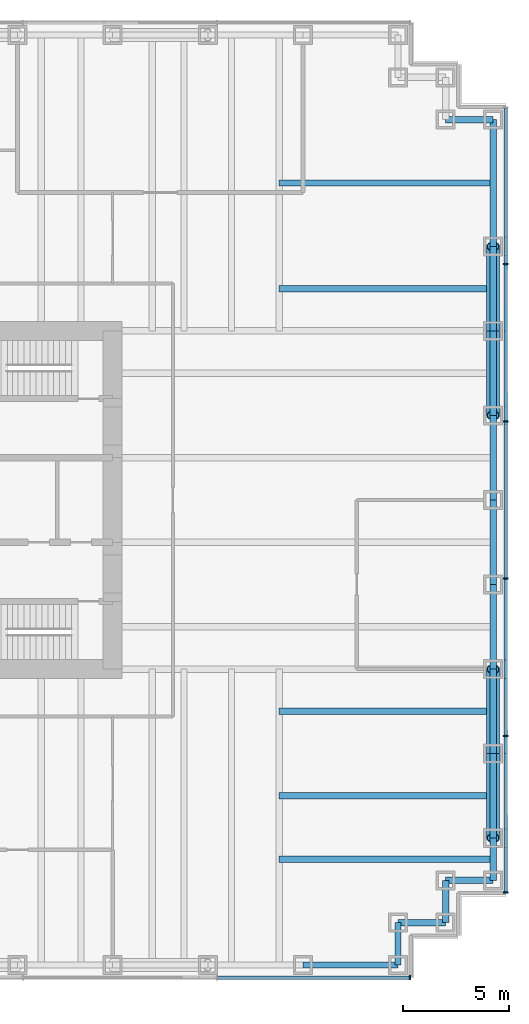
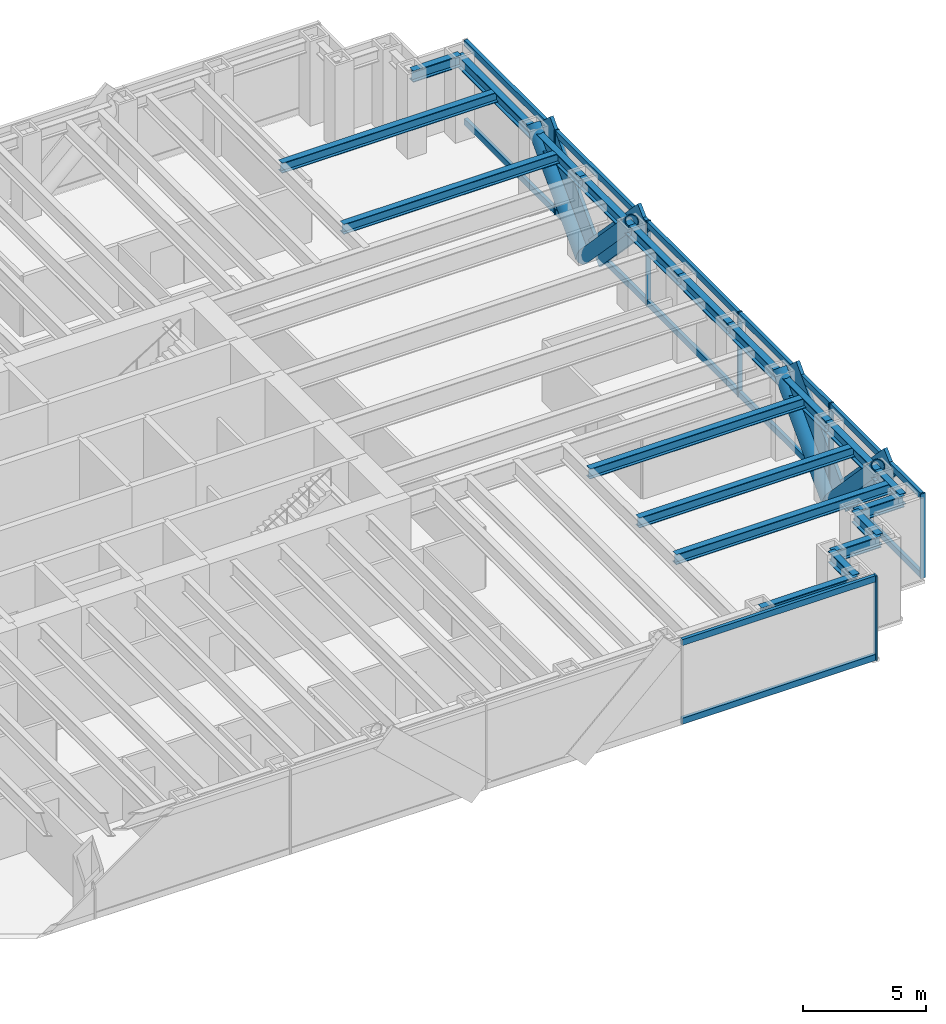
# One storey, part 8 of 15: 26 members, 20 beams, 2 elements without a shape of their own.
"""IFC4 building model written with IfcOpenShell, lengths in metres."""

from ifc_helpers import new_model, si_unit, direction, frame, origin, origin_2d, place, context, subcontext, project, spatial, rectangle, hollow_circle, i_section, extrude, material, material_profile, profile_set, type_object, element, aggregate, save


model = new_model("IFC4")

# Units and contexts
model_context = context("Model", 3, precision=1e-05, world=origin(), true_north=direction((0.0, 1.0)))
body_context = subcontext(model_context, "Body", "Model", "MODEL_VIEW")
ifc_project = project(units=[si_unit("LENGTHUNIT", "METRE"), si_unit("AREAUNIT", "SQUARE_METRE"), si_unit("VOLUMEUNIT", "CUBIC_METRE"), si_unit("PLANEANGLEUNIT", "RADIAN"), si_unit("MASSUNIT", "GRAM", prefix="KILO")], contexts=[model_context])

# Site, building, storey
site_placement = place(None, origin())
site = spatial("IfcSite", under=ifc_project, at=site_placement, CompositionType="ELEMENT")
building_placement = place(site_placement, origin())
building = spatial("IfcBuilding", under=site, at=building_placement, Name="Rheinbord Bourse Tower", CompositionType="ELEMENT")
storey_placement = place(building_placement, frame((0.0, 0.0, 113.10009765625)))
storey = spatial("IfcBuildingStorey", under=building, at=storey_placement, Name="L24", CompositionType="ELEMENT", Elevation=113.10009765625)

# Curtain wall, members
ifc_material_1 = material(Name="Dark glass and black aluminium", Category="aluminium")
curtain_wall_type = type_object("IfcCurtainWallType", Name="CW2 DARK GLASS CURTAIN WALL", PredefinedType="USERDEFINED", material=ifc_material_1)
curtain_wall_1_placement = place(storey_placement, origin())
curtain_wall_1 = element("IfcCurtainWall", 1, at=curtain_wall_1_placement, inside=storey, type_object=curtain_wall_type, Name="Curtain wall CW2 E L24", ObjectType="UNITISED CURTAIN WALL", PredefinedType="USERDEFINED")
ifc_material_2 = material(Name="Black anodised aluminium", Category="aluminium")
ifc_material_profile_1 = material_profile(ifc_material_2, rectangle(XDim=0.159912109375, YDim=1.2099609375, at=origin_2d()), Name="CW2 DIAGONAL MULLION 1210x160")
ifc_profile_set_1 = profile_set([ifc_material_profile_1], Name="Black anodised aluminium")
member_type_1 = type_object("IfcMemberType", Name="CW2 BLACK DIAGONAL MULLION", PredefinedType="USERDEFINED", material=ifc_profile_set_1)
member_1_placement = place(storey_placement, frame((72.60009765625, 32.0, 0.0), z_axis=(0.0, 0.689659376744, 0.724133926887), x_axis=(-1.0, 0.0, 0.0)))
member_1 = element("IfcMember", 2, at=member_1_placement, type_object=member_type_1, Name="CW2 diagonal mullion a", ObjectType="DIAGONAL MULLION", PredefinedType="USERDEFINED", context=body_context, shape_type="SweptSolid", body=[
    extrude(rectangle(XDim=0.159912109375, YDim=1.2099609375, at=origin_2d()), origin(), (0.0, 0.0, 1.0), 5.800048828125),
])
member_2_placement = place(storey_placement, frame((72.60009765625, 12.0, 0.0), z_axis=(0.0, -0.689659376744, 0.724133926887), x_axis=(1.0, 0.0, 0.0)))
member_2 = element("IfcMember", 3, at=member_2_placement, type_object=member_type_1, Name="CW2 diagonal mullion b", ObjectType="DIAGONAL MULLION", PredefinedType="USERDEFINED", context=body_context, shape_type="SweptSolid", body=[
    extrude(rectangle(XDim=0.159912109375, YDim=1.2099609375, at=origin_2d()), origin(), (0.0, 0.0, 1.0), 5.800048828125),
])
member_3_placement = place(storey_placement, frame((72.60009765625, 32.0, 0.0), z_axis=(0.0, -0.689659376744, 0.724133926887), x_axis=(1.0, 0.0, 0.0)))
member_3 = element("IfcMember", 4, at=member_3_placement, type_object=member_type_1, Name="CW2 diagonal mullion c", ObjectType="DIAGONAL MULLION", PredefinedType="USERDEFINED", context=body_context, shape_type="SweptSolid", body=[
    extrude(rectangle(XDim=0.159912109375, YDim=1.2099609375, at=origin_2d()), origin(), (0.0, 0.0, 1.0), 5.800048828125),
])
member_4_placement = place(storey_placement, frame((72.60009765625, 12.0, 0.0), z_axis=(0.0, 0.689659376744, 0.724133926887), x_axis=(-1.0, 0.0, 0.0)))
member_4 = element("IfcMember", 5, at=member_4_placement, type_object=member_type_1, Name="CW2 diagonal mullion d", ObjectType="DIAGONAL MULLION", PredefinedType="USERDEFINED", context=body_context, shape_type="SweptSolid", body=[
    extrude(rectangle(XDim=0.159912109375, YDim=1.2099609375, at=origin_2d()), origin(), (0.0, 0.0, 1.0), 5.800048828125),
])

# Curtain wall, member
curtain_wall_2_placement = place(storey_placement, origin())
curtain_wall_2 = element("IfcCurtainWall", 6, at=curtain_wall_2_placement, inside=storey, type_object=curtain_wall_type, Name="Curtain wall CW2 S L24", ObjectType="UNITISED CURTAIN WALL", PredefinedType="USERDEFINED")
ifc_material_3 = material(Name="Black anodised aluminium", Category="aluminium")
ifc_material_profile_2 = material_profile(ifc_material_3, rectangle(XDim=0.219970703125, YDim=0.070068359375, at=origin_2d()), Name="CW2 MULLION 70x220")
ifc_profile_set_2 = profile_set([ifc_material_profile_2], Name="Black anodised aluminium")
member_type_2 = type_object("IfcMemberType", Name="CW2 BLACK MULLION", PredefinedType="MULLION", material=ifc_profile_set_2)
member_5_placement = place(storey_placement, frame((68.06494140625, 1.39990234375, 0.0), z_axis=(0.0, 0.0, 1.0), x_axis=(0.0, 1.0, 0.0)))
member_5 = element("IfcMember", 7, at=member_5_placement, type_object=member_type_2, Name="CW2 mullion 8", PredefinedType="MULLION", context=body_context, shape_type="SweptSolid", body=[
    extrude(rectangle(XDim=0.219970703125, YDim=0.070068359375, at=origin_2d()), origin(), (0.0, 0.0, 1.0), 4.199951171875),
])

# Member
member_6_placement = place(storey_placement, frame((72.60009765625, 5.43505859375, 0.0), z_axis=(0.0, 0.0, 1.0), x_axis=(-1.0, 0.0, 0.0)))
member_6 = element("IfcMember", 8, at=member_6_placement, type_object=member_type_2, Name="CW2 mullion 1", PredefinedType="MULLION", context=body_context, shape_type="SweptSolid", body=[
    extrude(rectangle(XDim=0.219970703125, YDim=0.070068359375, at=origin_2d()), origin(), (0.0, 0.0, 1.0), 4.199951171875),
])

member_7_placement = place(storey_placement, frame((72.60009765625, 12.840087890625, 0.0), z_axis=(0.0, 0.0, 1.0), x_axis=(-1.0, 0.0, 0.0)))
member_7 = element("IfcMember", 9, at=member_7_placement, type_object=member_type_2, Name="CW2 mullion 2", PredefinedType="MULLION", context=body_context, shape_type="SweptSolid", body=[
    extrude(rectangle(XDim=0.219970703125, YDim=0.070068359375, at=origin_2d()), origin(), (0.0, 0.0, 1.0), 4.199951171875),
])

member_8_placement = place(storey_placement, frame((72.60009765625, 20.280029296875, 0.0), z_axis=(0.0, 0.0, 1.0), x_axis=(-1.0, 0.0, 0.0)))
member_8 = element("IfcMember", 10, at=member_8_placement, type_object=member_type_2, Name="CW2 mullion 3", PredefinedType="MULLION", context=body_context, shape_type="SweptSolid", body=[
    extrude(rectangle(XDim=0.219970703125, YDim=0.070068359375, at=origin_2d()), origin(), (0.0, 0.0, 1.0), 4.199951171875),
])

member_9_placement = place(storey_placement, frame((72.60009765625, 27.719970703125, 0.0), z_axis=(0.0, 0.0, 1.0), x_axis=(-1.0, 0.0, 0.0)))
member_9 = element("IfcMember", 11, at=member_9_placement, type_object=member_type_2, Name="CW2 mullion 4", PredefinedType="MULLION", context=body_context, shape_type="SweptSolid", body=[
    extrude(rectangle(XDim=0.219970703125, YDim=0.070068359375, at=origin_2d()), origin(), (0.0, 0.0, 1.0), 4.199951171875),
])

member_10_placement = place(storey_placement, frame((72.60009765625, 35.159912109375, 0.0), z_axis=(0.0, 0.0, 1.0), x_axis=(-1.0, 0.0, 0.0)))
member_10 = element("IfcMember", 12, at=member_10_placement, type_object=member_type_2, Name="CW2 mullion 5", PredefinedType="MULLION", context=body_context, shape_type="SweptSolid", body=[
    extrude(rectangle(XDim=0.219970703125, YDim=0.070068359375, at=origin_2d()), origin(), (0.0, 0.0, 1.0), 4.199951171875),
])

ifc_material_4 = material(Name="Black anodised aluminium", Category="aluminium")
ifc_material_profile_3 = material_profile(ifc_material_4, rectangle(XDim=0.159912109375, YDim=0.300048828125, at=origin_2d()), Name="CW2 TRANSOM 300x160")
ifc_profile_set_3 = profile_set([ifc_material_profile_3], Name="Black anodised aluminium")
member_type_3 = type_object("IfcMemberType", Name="CW2 BLACK TRANSOM", PredefinedType="USERDEFINED", material=ifc_profile_set_3)
member_11_placement = place(storey_placement, frame((58.963623046875, 1.39990234375, 0.14990234375), z_axis=(1.0, 0.0, 0.0), x_axis=(0.0, 1.0, 0.0)))
member_11 = element("IfcMember", 13, at=member_11_placement, type_object=member_type_3, Name="CW2 transom 7.1", ObjectType="TRANSOM", PredefinedType="USERDEFINED", context=body_context, shape_type="SweptSolid", body=[
    extrude(rectangle(XDim=0.159912109375, YDim=0.300048828125, at=origin_2d()), origin(), (0.0, 0.0, 1.0), 9.06640625),
])

member_12_placement = place(storey_placement, frame((58.963623046875, 1.39990234375, 4.0498046875), z_axis=(1.0, 0.0, 0.0), x_axis=(0.0, 1.0, 0.0)))
member_12 = element("IfcMember", 14, at=member_12_placement, type_object=member_type_3, Name="CW2 transom 7.2", ObjectType="TRANSOM", PredefinedType="USERDEFINED", context=body_context, shape_type="SweptSolid", body=[
    extrude(rectangle(XDim=0.159912109375, YDim=0.300048828125, at=origin_2d()), origin(), (0.0, 0.0, 1.0), 9.06640625),
])

aggregate(curtain_wall_2, [member_5, member_11, member_12])

member_13_placement = place(storey_placement, frame((72.60009765625, 5.469970703125, 0.14990234375), z_axis=(0.0, 1.0, 0.0), x_axis=(-1.0, 0.0, 0.0)))
member_13 = element("IfcMember", 15, at=member_13_placement, type_object=member_type_3, Name="CW2 transom 1.1", ObjectType="TRANSOM", PredefinedType="USERDEFINED", context=body_context, shape_type="SweptSolid", body=[
    extrude(rectangle(XDim=0.159912109375, YDim=0.300048828125, at=origin_2d()), origin(), (0.0, 0.0, 1.0), 7.3349609375),
])

member_14_placement = place(storey_placement, frame((72.60009765625, 5.469970703125, 4.0498046875), z_axis=(0.0, 1.0, 0.0), x_axis=(-1.0, 0.0, 0.0)))
member_14 = element("IfcMember", 16, at=member_14_placement, type_object=member_type_3, Name="CW2 transom 1.2", ObjectType="TRANSOM", PredefinedType="USERDEFINED", context=body_context, shape_type="SweptSolid", body=[
    extrude(rectangle(XDim=0.159912109375, YDim=0.300048828125, at=origin_2d()), origin(), (0.0, 0.0, 1.0), 7.3349609375),
])

member_15_placement = place(storey_placement, frame((72.60009765625, 12.875, 0.14990234375), z_axis=(0.0, 1.0, 0.0), x_axis=(-1.0, 0.0, 0.0)))
member_15 = element("IfcMember", 17, at=member_15_placement, type_object=member_type_3, Name="CW2 transom 2.1", ObjectType="TRANSOM", PredefinedType="USERDEFINED", context=body_context, shape_type="SweptSolid", body=[
    extrude(rectangle(XDim=0.159912109375, YDim=0.300048828125, at=origin_2d()), origin(), (0.0, 0.0, 1.0), 7.3701171875),
])

member_16_placement = place(storey_placement, frame((72.60009765625, 12.875, 4.0498046875), z_axis=(0.0, 1.0, 0.0), x_axis=(-1.0, 0.0, 0.0)))
member_16 = element("IfcMember", 18, at=member_16_placement, type_object=member_type_3, Name="CW2 transom 2.2", ObjectType="TRANSOM", PredefinedType="USERDEFINED", context=body_context, shape_type="SweptSolid", body=[
    extrude(rectangle(XDim=0.159912109375, YDim=0.300048828125, at=origin_2d()), origin(), (0.0, 0.0, 1.0), 7.3701171875),
])

member_17_placement = place(storey_placement, frame((72.60009765625, 20.31494140625, 0.14990234375), z_axis=(0.0, 1.0, 0.0), x_axis=(-1.0, 0.0, 0.0)))
member_17 = element("IfcMember", 19, at=member_17_placement, type_object=member_type_3, Name="CW2 transom 3.1", ObjectType="TRANSOM", PredefinedType="USERDEFINED", context=body_context, shape_type="SweptSolid", body=[
    extrude(rectangle(XDim=0.159912109375, YDim=0.300048828125, at=origin_2d()), origin(), (0.0, 0.0, 1.0), 7.3701171875),
])

member_18_placement = place(storey_placement, frame((72.60009765625, 20.31494140625, 4.0498046875), z_axis=(0.0, 1.0, 0.0), x_axis=(-1.0, 0.0, 0.0)))
member_18 = element("IfcMember", 20, at=member_18_placement, type_object=member_type_3, Name="CW2 transom 3.2", ObjectType="TRANSOM", PredefinedType="USERDEFINED", context=body_context, shape_type="SweptSolid", body=[
    extrude(rectangle(XDim=0.159912109375, YDim=0.300048828125, at=origin_2d()), origin(), (0.0, 0.0, 1.0), 7.3701171875),
])

member_19_placement = place(storey_placement, frame((72.60009765625, 27.7548828125, 0.14990234375), z_axis=(0.0, 1.0, 0.0), x_axis=(-1.0, 0.0, 0.0)))
member_19 = element("IfcMember", 21, at=member_19_placement, type_object=member_type_3, Name="CW2 transom 4.1", ObjectType="TRANSOM", PredefinedType="USERDEFINED", context=body_context, shape_type="SweptSolid", body=[
    extrude(rectangle(XDim=0.159912109375, YDim=0.300048828125, at=origin_2d()), origin(), (0.0, 0.0, 1.0), 7.3701171875),
])

member_20_placement = place(storey_placement, frame((72.60009765625, 27.7548828125, 4.0498046875), z_axis=(0.0, 1.0, 0.0), x_axis=(-1.0, 0.0, 0.0)))
member_20 = element("IfcMember", 22, at=member_20_placement, type_object=member_type_3, Name="CW2 transom 4.2", ObjectType="TRANSOM", PredefinedType="USERDEFINED", context=body_context, shape_type="SweptSolid", body=[
    extrude(rectangle(XDim=0.159912109375, YDim=0.300048828125, at=origin_2d()), origin(), (0.0, 0.0, 1.0), 7.3701171875),
])

member_21_placement = place(storey_placement, frame((72.60009765625, 35.195068359375, 0.14990234375), z_axis=(0.0, 1.0, 0.0), x_axis=(-1.0, 0.0, 0.0)))
member_21 = element("IfcMember", 23, at=member_21_placement, type_object=member_type_3, Name="CW2 transom 5.1", ObjectType="TRANSOM", PredefinedType="USERDEFINED", context=body_context, shape_type="SweptSolid", body=[
    extrude(rectangle(XDim=0.159912109375, YDim=0.300048828125, at=origin_2d()), origin(), (0.0, 0.0, 1.0), 7.3349609375),
])

member_22_placement = place(storey_placement, frame((72.60009765625, 35.195068359375, 4.0498046875), z_axis=(0.0, 1.0, 0.0), x_axis=(-1.0, 0.0, 0.0)))
member_22 = element("IfcMember", 24, at=member_22_placement, type_object=member_type_3, Name="CW2 transom 5.2", ObjectType="TRANSOM", PredefinedType="USERDEFINED", context=body_context, shape_type="SweptSolid", body=[
    extrude(rectangle(XDim=0.159912109375, YDim=0.300048828125, at=origin_2d()), origin(), (0.0, 0.0, 1.0), 7.3349609375),
])

aggregate(curtain_wall_1, [member_6, member_7, member_8, member_9, member_10, member_13, member_14, member_15, member_16, member_17, member_18, member_19, member_20, member_21, member_22, member_1, member_2, member_3, member_4])

# Members
ifc_material_5 = material(Name="Steel S460", Category="steel")
ifc_material_profile_4 = material_profile(ifc_material_5, hollow_circle(Radius=0.304931640625, WallThickness=0.0400390625, at=origin_2d()), Name="CHS 610x40")
ifc_profile_set_4 = profile_set([ifc_material_profile_4], Name="Steel S460")
member_type_4 = type_object("IfcMemberType", Name="MEGABRACE CHS 610x40", PredefinedType="BRACE", material=ifc_profile_set_4)
for number, where, z_axis, x_axis, name in (
    (25, (72.0, 32.0, 0.0), (0.0, 0.689659376744, 0.724133926887), (-1.0, 0.0, 0.0), "Megabrace E face line a L24"),
    (26, (72.0, 12.0, 0.0), (0.0, -0.689659376744, 0.724133926887), (1.0, 0.0, 0.0), "Megabrace E face line b L24"),
    (27, (72.0, 32.0, 0.0), (0.0, -0.689659376744, 0.724133926887), (1.0, 0.0, 0.0), "Megabrace E face line c L24"),
    (28, (72.0, 12.0, 0.0), (0.0, 0.689659376744, 0.724133926887), (-1.0, 0.0, 0.0), "Megabrace E face line d L24"),
):
    element("IfcMember", number, at=place(storey_placement, frame(where, z_axis=z_axis, x_axis=x_axis)), inside=storey, type_object=member_type_4, Name=name, PredefinedType="BRACE", context=body_context, shape_type="SweptSolid", body=[
        extrude(hollow_circle(Radius=0.304931640625, WallThickness=0.0400390625, at=origin_2d()), origin(), (0.0, 0.0, 1.0), 5.800048828125),
    ])

# Beams
ifc_material_6 = material(Name="Steel S460", Category="steel")
ifc_material_profile_5 = material_profile(ifc_material_6, i_section(OverallWidth=0.305908203125, OverallDepth=0.572021484375, WebThickness=0.02099609375, FlangeThickness=0.0400390625, at=origin_2d()), Name="HEM 550")
ifc_profile_set_5 = profile_set([ifc_material_profile_5], Name="Steel S460")
beam_type_1 = type_object("IfcBeamType", Name="SPANDREL HEM 550", PredefinedType="SPANDREL", material=ifc_profile_set_5)
beam_1_placement = place(storey_placement, frame((63.0, 2.0, 3.75390625), z_axis=(1.0, 0.0, 0.0), x_axis=(0.0, 1.0, 0.0)))
element("IfcBeam", 29, at=beam_1_placement, inside=storey, type_object=beam_type_1, Name="Spandrel S-63-SE-E under L25", PredefinedType="SPANDREL", context=body_context, shape_type="SweptSolid", body=[
    extrude(i_section(OverallWidth=0.305908203125, OverallDepth=0.572021484375, WebThickness=0.02099609375, FlangeThickness=0.0400390625, at=origin_2d()), origin(), (0.0, 0.0, 1.0), 4.5),
])
beam_2_placement = place(storey_placement, frame((67.5, 2.0, 3.75390625), z_axis=(0.0, 1.0, 0.0), x_axis=(-1.0, 0.0, 0.0)))
element("IfcBeam", 30, at=beam_2_placement, inside=storey, type_object=beam_type_1, Name="Spandrel SE-E-SE-D under L25", PredefinedType="SPANDREL", context=body_context, shape_type="SweptSolid", body=[
    extrude(i_section(OverallWidth=0.305908203125, OverallDepth=0.572021484375, WebThickness=0.02099609375, FlangeThickness=0.0400390625, at=origin_2d()), origin(), (0.0, 0.0, 1.0), 2.0),
])
beam_3_placement = place(storey_placement, frame((67.5, 4.0, 3.75390625), z_axis=(1.0, 0.0, 0.0), x_axis=(0.0, 1.0, 0.0)))
element("IfcBeam", 31, at=beam_3_placement, inside=storey, type_object=beam_type_1, Name="Spandrel SE-D-SE-C under L25", PredefinedType="SPANDREL", context=body_context, shape_type="SweptSolid", body=[
    extrude(i_section(OverallWidth=0.305908203125, OverallDepth=0.572021484375, WebThickness=0.02099609375, FlangeThickness=0.0400390625, at=origin_2d()), origin(), (0.0, 0.0, 1.0), 2.25),
])
beam_4_placement = place(storey_placement, frame((69.75, 4.0, 3.75390625), z_axis=(0.0, 1.0, 0.0), x_axis=(-1.0, 0.0, 0.0)))
element("IfcBeam", 32, at=beam_4_placement, inside=storey, type_object=beam_type_1, Name="Spandrel SE-C-SE-B under L25", PredefinedType="SPANDREL", context=body_context, shape_type="SweptSolid", body=[
    extrude(i_section(OverallWidth=0.305908203125, OverallDepth=0.572021484375, WebThickness=0.02099609375, FlangeThickness=0.0400390625, at=origin_2d()), origin(), (0.0, 0.0, 1.0), 2.0),
])
beam_5_placement = place(storey_placement, frame((69.75, 6.0, 3.75390625), z_axis=(1.0, 0.0, 0.0), x_axis=(0.0, 1.0, 0.0)))
element("IfcBeam", 33, at=beam_5_placement, inside=storey, type_object=beam_type_1, Name="Spandrel SE-B-SE-A under L25", PredefinedType="SPANDREL", context=body_context, shape_type="SweptSolid", body=[
    extrude(i_section(OverallWidth=0.305908203125, OverallDepth=0.572021484375, WebThickness=0.02099609375, FlangeThickness=0.0400390625, at=origin_2d()), origin(), (0.0, 0.0, 1.0), 2.25),
])
beam_6_placement = place(storey_placement, frame((72.0, 6.0, 3.75390625), z_axis=(0.0, 1.0, 0.0), x_axis=(-1.0, 0.0, 0.0)))
element("IfcBeam", 34, at=beam_6_placement, inside=storey, type_object=beam_type_1, Name="Spandrel SE-A-E-8 under L25", PredefinedType="SPANDREL", context=body_context, shape_type="SweptSolid", body=[
    extrude(i_section(OverallWidth=0.305908203125, OverallDepth=0.572021484375, WebThickness=0.02099609375, FlangeThickness=0.0400390625, at=origin_2d()), origin(), (0.0, 0.0, 1.0), 2.0),
])
for number, where, z_axis, x_axis, name in (
    (35, (72.0, 8.0, 3.75390625), (0.0, 1.0, 0.0), (-1.0, 0.0, 0.0), "Spandrel E-8-E-12 under L25"),
    (36, (72.0, 12.0, 3.75390625), (0.0, 1.0, 0.0), (-1.0, 0.0, 0.0), "Spandrel E-12-E-16 under L25"),
    (37, (72.0, 16.0, 3.75390625), (0.0, 1.0, 0.0), (-1.0, 0.0, 0.0), "Spandrel E-16-E-20 under L25"),
    (38, (72.0, 20.0, 3.75390625), (0.0, 1.0, 0.0), (-1.0, 0.0, 0.0), "Spandrel E-20-E-24 under L25"),
    (39, (72.0, 24.0, 3.75390625), (0.0, 1.0, 0.0), (-1.0, 0.0, 0.0), "Spandrel E-24-E-28 under L25"),
    (40, (72.0, 28.0, 3.75390625), (0.0, 1.0, 0.0), (-1.0, 0.0, 0.0), "Spandrel E-28-E-32 under L25"),
    (41, (72.0, 32.0, 3.75390625), (0.0, 1.0, 0.0), (-1.0, 0.0, 0.0), "Spandrel E-32-E-36 under L25"),
):
    element("IfcBeam", number, at=place(storey_placement, frame(where, z_axis=z_axis, x_axis=x_axis)), inside=storey, type_object=beam_type_1, Name=name, PredefinedType="SPANDREL", context=body_context, shape_type="SweptSolid", body=[
        extrude(i_section(OverallWidth=0.305908203125, OverallDepth=0.572021484375, WebThickness=0.02099609375, FlangeThickness=0.0400390625, at=origin_2d()), origin(), (0.0, 0.0, 1.0), 4.0),
    ])
beam_7_placement = place(storey_placement, frame((72.0, 36.0, 3.75390625), z_axis=(0.0, 1.0, 0.0), x_axis=(-1.0, 0.0, 0.0)))
element("IfcBeam", 42, at=beam_7_placement, inside=storey, type_object=beam_type_1, Name="Spandrel E-36-NE-A under L25", PredefinedType="SPANDREL", context=body_context, shape_type="SweptSolid", body=[
    extrude(i_section(OverallWidth=0.305908203125, OverallDepth=0.572021484375, WebThickness=0.02099609375, FlangeThickness=0.0400390625, at=origin_2d()), origin(), (0.0, 0.0, 1.0), 6.0),
])
beam_8_placement = place(storey_placement, frame((72.0, 42.0, 3.75390625), z_axis=(-1.0, 0.0, 0.0), x_axis=(0.0, -1.0, 0.0)))
element("IfcBeam", 43, at=beam_8_placement, inside=storey, type_object=beam_type_1, Name="Spandrel NE-A-NE-B under L25", PredefinedType="SPANDREL", context=body_context, shape_type="SweptSolid", body=[
    extrude(i_section(OverallWidth=0.305908203125, OverallDepth=0.572021484375, WebThickness=0.02099609375, FlangeThickness=0.0400390625, at=origin_2d()), origin(), (0.0, 0.0, 1.0), 2.25),
])
ifc_material_7 = material(Name="Steel S460", Category="steel")
ifc_material_profile_6 = material_profile(ifc_material_7, i_section(OverallWidth=0.300048828125, OverallDepth=0.5, WebThickness=0.014404296875, FlangeThickness=0.028076171875, at=origin_2d()), Name="HEB 500")
ifc_profile_set_6 = profile_set([ifc_material_profile_6], Name="Steel S460")
beam_type_2 = type_object("IfcBeamType", Name="TIE BEAM HEB 500", PredefinedType="JOIST", material=ifc_profile_set_6)
for number, where, z_axis, x_axis, name in (
    (44, (61.875, 7.0, 3.789794921875), (1.0, 0.0, 0.0), (0.0, 1.0, 0.0), "Tie east 7 L25"),
    (45, (61.875, 10.0, 3.789794921875), (1.0, 0.0, 0.0), (0.0, 1.0, 0.0), "Tie east 10 L25"),
    (46, (61.875, 14.0, 3.789794921875), (1.0, 0.0, 0.0), (0.0, 1.0, 0.0), "Tie east 14 L25"),
    (47, (61.875, 34.0, 3.789794921875), (1.0, 0.0, 0.0), (0.0, 1.0, 0.0), "Tie east 34 L25"),
    (48, (61.875, 39.0, 3.789794921875), (1.0, 0.0, 0.0), (0.0, 1.0, 0.0), "Tie east 39 L25"),
):
    element("IfcBeam", number, at=place(storey_placement, frame(where, z_axis=z_axis, x_axis=x_axis)), inside=storey, type_object=beam_type_2, Name=name, PredefinedType="JOIST", context=body_context, shape_type="SweptSolid", body=[
        extrude(i_section(OverallWidth=0.300048828125, OverallDepth=0.5, WebThickness=0.014404296875, FlangeThickness=0.028076171875, at=origin_2d()), origin(), (0.0, 0.0, 1.0), 10.125),
    ])

save(model, "model.ifc")
